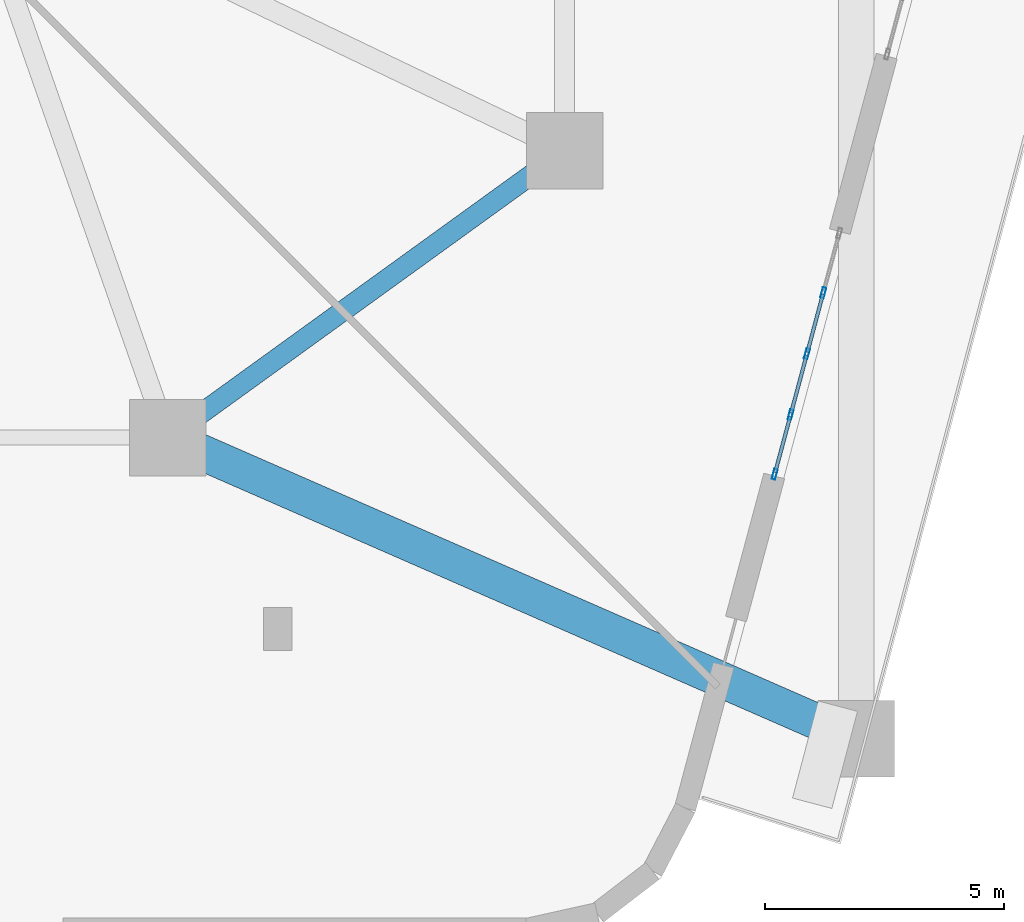
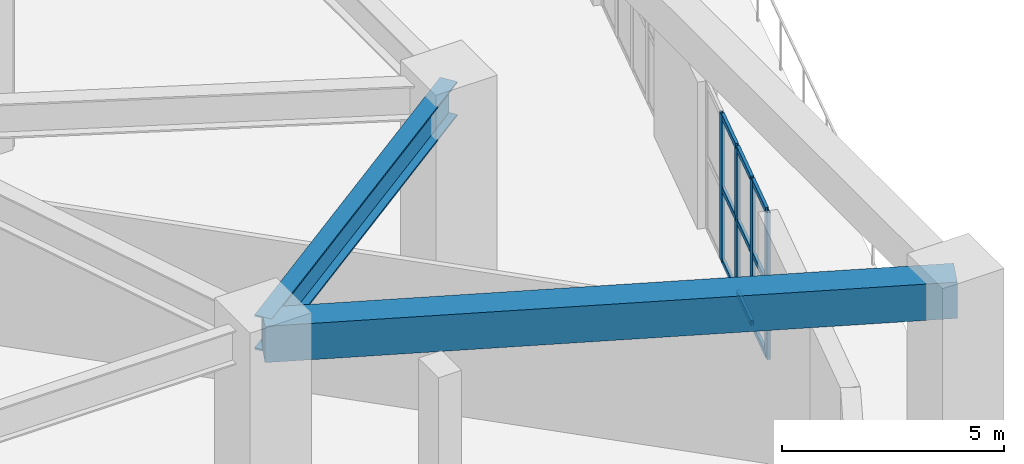
# One storey, part 8 of 34: 13 members, 2 beams, 1 element without a shape of its own.
"""IFC4 building model written with IfcOpenShell, lengths in metres."""

from ifc_helpers import new_model, si_unit, direction, frame, origin, origin_2d, place, context, subcontext, project, spatial, rectangle, hollow_rectangle, i_section, extrude, material, layer, layer_set, material_profile, profile_set, type_object, element, aggregate, save


model = new_model("IFC4")

# Units and contexts
model_context = context("Model", 3, precision=1e-05, world=origin(), true_north=direction((0.0, 1.0)))
body_context = subcontext(model_context, "Body", "Model", "MODEL_VIEW")
ifc_project = project(units=[si_unit("LENGTHUNIT", "METRE"), si_unit("AREAUNIT", "SQUARE_METRE"), si_unit("VOLUMEUNIT", "CUBIC_METRE"), si_unit("PLANEANGLEUNIT", "RADIAN"), si_unit("MASSUNIT", "GRAM", prefix="KILO")], contexts=[model_context])

# Site, building, storey
site_placement = place(None, origin())
site = spatial("IfcSite", under=ifc_project, at=site_placement, CompositionType="ELEMENT")
building_placement = place(site_placement, origin())
building = spatial("IfcBuilding", under=site, at=building_placement, Name="Kilnhurst Terrace Hotel", CompositionType="ELEMENT")
storey_placement = place(building_placement, frame((0.0, 0.0, 6.0)))
storey = spatial("IfcBuildingStorey", under=building, at=storey_placement, Name="L01", CompositionType="ELEMENT", Elevation=6.0)

# Beam
ifc_material_1 = material(Name="Steel ASTM A992 Grade 50", Category="steel")
ifc_material_profile_1 = material_profile(ifc_material_1, i_section(OverallWidth=0.423095703125, OverallDepth=0.9482421875, WebThickness=0.02392578125, FlangeThickness=0.042724609375, at=origin_2d()), Name="W36X302")
ifc_profile_set_1 = profile_set([ifc_material_profile_1], Name="Steel ASTM A992 Grade 50")
beam_type_1 = type_object("IfcBeamType", Name="BM-STL-W36X302", PredefinedType="BEAM", material=ifc_profile_set_1)
beam_1_placement = place(storey_placement, frame((21.5, -13.5, 4.60595703125), z_axis=(-0.810423314702, -0.585844732833, 0.0), x_axis=(0.585844732833, -0.810423314702, 0.0)))
element("IfcBeam", 1, at=beam_1_placement, inside=storey, type_object=beam_type_1, Name="L01 Podium Frame Beam 18", PredefinedType="BEAM", context=body_context, shape_type="SweptSolid", body=[
    extrude(i_section(OverallWidth=0.423095703125, OverallDepth=0.9482421875, WebThickness=0.02392578125, FlangeThickness=0.042724609375, at=origin_2d()), origin(), (0.0, 0.0, 1.0), 10.24169921875),
])

# Curtain wall, members
ifc_material_2 = material(Name="Anodized Aluminium Alloy 6063-T6 and Low-E Glass", Category="aluminium")
ifc_layer = layer(ifc_material_2, 0.219970703125, Name="Anodized Aluminium Alloy 6063-T6 and Low-E Glass")
ifc_layer_set = layer_set([ifc_layer], Name="Anodized Aluminium Alloy 6063-T6 and Low-E Glass")
curtain_wall_type = type_object("IfcCurtainWallType", Name="CW-POD-LOBBY", PredefinedType="NOTDEFINED", material=ifc_layer_set)
curtain_wall_placement = place(storey_placement, origin())
curtain_wall = element("IfcCurtainWall", 2, at=curtain_wall_placement, inside=storey, type_object=curtain_wall_type, Name="L01 Curtain Wall CW-L01-F2-1", PredefinedType="NOTDEFINED")
ifc_material_3 = material(Name="Extruded Aluminium Alloy 6063-T6", Category="aluminium")
ifc_material_profile_2 = material_profile(ifc_material_3, hollow_rectangle(XDim=0.074951171875, YDim=0.219970703125, WallThickness=0.00390625, at=origin_2d()), Name="CWM75X220")
ifc_profile_set_2 = profile_set([ifc_material_profile_2], Name="Extruded Aluminium Alloy 6063-T6")
member_type_1 = type_object("IfcMemberType", Name="MEM-CWM75X220", PredefinedType="MULLION", material=ifc_profile_set_2)
member_1_placement = place(storey_placement, frame((25.89501953125, -20.266357421875, 0.0), z_axis=(0.0, 0.0, 1.0), x_axis=(-0.965929411181, 0.258805665733, 0.0)))
member_1 = element("IfcMember", 3, at=member_1_placement, type_object=member_type_1, Name="CWL-1 mullion 1", PredefinedType="MULLION", context=body_context, shape_type="SweptSolid", body=[
    extrude(hollow_rectangle(XDim=0.074951171875, YDim=0.219970703125, WallThickness=0.00390625, at=origin_2d()), origin(), (0.0, 0.0, 1.0), 4.050048828125),
])
member_2_placement = place(storey_placement, frame((26.2275390625, -19.024658203125, 0.0), z_axis=(0.0, 0.0, 1.0), x_axis=(-0.965929411181, 0.258805665733, 0.0)))
member_2 = element("IfcMember", 4, at=member_2_placement, type_object=member_type_1, Name="CWL-1 mullion 2", PredefinedType="MULLION", context=body_context, shape_type="SweptSolid", body=[
    extrude(hollow_rectangle(XDim=0.074951171875, YDim=0.219970703125, WallThickness=0.00390625, at=origin_2d()), origin(), (0.0, 0.0, 1.0), 4.050048828125),
])
member_3_placement = place(storey_placement, frame((26.570068359375, -17.746826171875, 0.0), z_axis=(0.0, 0.0, 1.0), x_axis=(-0.965929411181, 0.258805665733, 0.0)))
member_3 = element("IfcMember", 5, at=member_3_placement, type_object=member_type_1, Name="CWL-1 mullion 3", PredefinedType="MULLION", context=body_context, shape_type="SweptSolid", body=[
    extrude(hollow_rectangle(XDim=0.074951171875, YDim=0.219970703125, WallThickness=0.00390625, at=origin_2d()), origin(), (0.0, 0.0, 1.0), 4.050048828125),
])
member_4_placement = place(storey_placement, frame((26.912353515625, -16.468994140625, 0.0), z_axis=(0.0, 0.0, 1.0), x_axis=(-0.965929411181, 0.258805665733, 0.0)))
member_4 = element("IfcMember", 6, at=member_4_placement, type_object=member_type_1, Name="CWL-1 mullion 4", PredefinedType="MULLION", context=body_context, shape_type="SweptSolid", body=[
    extrude(hollow_rectangle(XDim=0.074951171875, YDim=0.219970703125, WallThickness=0.00390625, at=origin_2d()), origin(), (0.0, 0.0, 1.0), 4.050048828125),
])
ifc_material_profile_3 = material_profile(ifc_material_3, hollow_rectangle(XDim=0.074951171875, YDim=0.14990234375, WallThickness=0.00390625, at=origin_2d()), Name="CWT75X150")
ifc_profile_set_3 = profile_set([ifc_material_profile_3], Name="Extruded Aluminium Alloy 6063-T6")
member_type_2 = type_object("IfcMemberType", Name="MEM-CWT75X150", PredefinedType="USERDEFINED", material=ifc_profile_set_3)
member_5_placement = place(storey_placement, frame((25.904541015625, -20.230224609375, 0.03759765625), z_axis=(0.2587797734, 0.965936348255, 0.0), x_axis=(-0.965936348255, 0.2587797734, 0.0)))
member_5 = element("IfcMember", 7, at=member_5_placement, type_object=member_type_2, Name="CWL-1 transom 1.1", ObjectType="TRANSOM", PredefinedType="USERDEFINED", context=body_context, shape_type="SweptSolid", body=[
    extrude(hollow_rectangle(XDim=0.074951171875, YDim=0.14990234375, WallThickness=0.00390625, at=origin_2d()), origin(), (0.0, 0.0, 1.0), 1.21044921875),
])
member_6_placement = place(storey_placement, frame((25.904541015625, -20.230224609375, 2.02490234375), z_axis=(0.2587797734, 0.965936348255, 0.0), x_axis=(-0.965936348255, 0.2587797734, 0.0)))
member_6 = element("IfcMember", 8, at=member_6_placement, type_object=member_type_2, Name="CWL-1 transom 1.2", ObjectType="TRANSOM", PredefinedType="USERDEFINED", context=body_context, shape_type="SweptSolid", body=[
    extrude(hollow_rectangle(XDim=0.074951171875, YDim=0.14990234375, WallThickness=0.00390625, at=origin_2d()), origin(), (0.0, 0.0, 1.0), 1.21044921875),
])
member_7_placement = place(storey_placement, frame((25.904541015625, -20.230224609375, 4.012451171875), z_axis=(0.2587797734, 0.965936348255, 0.0), x_axis=(-0.965936348255, 0.2587797734, 0.0)))
member_7 = element("IfcMember", 9, at=member_7_placement, type_object=member_type_2, Name="CWL-1 transom 1.3", ObjectType="TRANSOM", PredefinedType="USERDEFINED", context=body_context, shape_type="SweptSolid", body=[
    extrude(hollow_rectangle(XDim=0.074951171875, YDim=0.14990234375, WallThickness=0.00390625, at=origin_2d()), origin(), (0.0, 0.0, 1.0), 1.21044921875),
])
member_8_placement = place(storey_placement, frame((26.2373046875, -18.988525390625, 0.03759765625), z_axis=(0.258794750904, 0.965932335573, 0.0), x_axis=(-0.965932335573, 0.258794750904, 0.0)))
member_8 = element("IfcMember", 10, at=member_8_placement, type_object=member_type_2, Name="CWL-1 transom 2.1", ObjectType="TRANSOM", PredefinedType="USERDEFINED", context=body_context, shape_type="SweptSolid", body=[
    extrude(hollow_rectangle(XDim=0.074951171875, YDim=0.14990234375, WallThickness=0.00390625, at=origin_2d()), origin(), (0.0, 0.0, 1.0), 1.248046875),
])
member_9_placement = place(storey_placement, frame((26.2373046875, -18.988525390625, 2.02490234375), z_axis=(0.258794750904, 0.965932335573, 0.0), x_axis=(-0.965932335573, 0.258794750904, 0.0)))
member_9 = element("IfcMember", 11, at=member_9_placement, type_object=member_type_2, Name="CWL-1 transom 2.2", ObjectType="TRANSOM", PredefinedType="USERDEFINED", context=body_context, shape_type="SweptSolid", body=[
    extrude(hollow_rectangle(XDim=0.074951171875, YDim=0.14990234375, WallThickness=0.00390625, at=origin_2d()), origin(), (0.0, 0.0, 1.0), 1.248046875),
])
member_10_placement = place(storey_placement, frame((26.2373046875, -18.988525390625, 4.012451171875), z_axis=(0.258794750904, 0.965932335573, 0.0), x_axis=(-0.965932335573, 0.258794750904, 0.0)))
member_10 = element("IfcMember", 12, at=member_10_placement, type_object=member_type_2, Name="CWL-1 transom 2.3", ObjectType="TRANSOM", PredefinedType="USERDEFINED", context=body_context, shape_type="SweptSolid", body=[
    extrude(hollow_rectangle(XDim=0.074951171875, YDim=0.14990234375, WallThickness=0.00390625, at=origin_2d()), origin(), (0.0, 0.0, 1.0), 1.248046875),
])
member_11_placement = place(storey_placement, frame((26.57958984375, -17.710693359375, 0.03759765625), z_axis=(0.258794750904, 0.965932335573, 0.0), x_axis=(-0.965932335573, 0.258794750904, 0.0)))
member_11 = element("IfcMember", 13, at=member_11_placement, type_object=member_type_2, Name="CWL-1 transom 3.1", ObjectType="TRANSOM", PredefinedType="USERDEFINED", context=body_context, shape_type="SweptSolid", body=[
    extrude(hollow_rectangle(XDim=0.074951171875, YDim=0.14990234375, WallThickness=0.00390625, at=origin_2d()), origin(), (0.0, 0.0, 1.0), 1.248046875),
])
member_12_placement = place(storey_placement, frame((26.57958984375, -17.710693359375, 2.02490234375), z_axis=(0.258794750904, 0.965932335573, 0.0), x_axis=(-0.965932335573, 0.258794750904, 0.0)))
member_12 = element("IfcMember", 14, at=member_12_placement, type_object=member_type_2, Name="CWL-1 transom 3.2", ObjectType="TRANSOM", PredefinedType="USERDEFINED", context=body_context, shape_type="SweptSolid", body=[
    extrude(hollow_rectangle(XDim=0.074951171875, YDim=0.14990234375, WallThickness=0.00390625, at=origin_2d()), origin(), (0.0, 0.0, 1.0), 1.248046875),
])
member_13_placement = place(storey_placement, frame((26.57958984375, -17.710693359375, 4.012451171875), z_axis=(0.258794750904, 0.965932335573, 0.0), x_axis=(-0.965932335573, 0.258794750904, 0.0)))
member_13 = element("IfcMember", 15, at=member_13_placement, type_object=member_type_2, Name="CWL-1 transom 3.3", ObjectType="TRANSOM", PredefinedType="USERDEFINED", context=body_context, shape_type="SweptSolid", body=[
    extrude(hollow_rectangle(XDim=0.074951171875, YDim=0.14990234375, WallThickness=0.00390625, at=origin_2d()), origin(), (0.0, 0.0, 1.0), 1.248046875),
])
aggregate(curtain_wall, [member_1, member_2, member_3, member_4, member_5, member_6, member_7, member_8, member_9, member_10, member_11, member_12, member_13])

# Beam
ifc_material_4 = material(Name="Concrete C50/60", Category="concrete")
ifc_material_profile_4 = material_profile(ifc_material_4, rectangle(XDim=0.75, YDim=1.0, at=origin_2d()), Name="RC750X1000")
ifc_profile_set_4 = profile_set([ifc_material_profile_4], Name="Concrete C50/60")
beam_type_2 = type_object("IfcBeamType", Name="TBM-GAR-750X1000", PredefinedType="T_BEAM", material=ifc_profile_set_4)
beam_2_placement = place(storey_placement, frame((27.60009765625, -25.800048828125, 4.580078125), z_axis=(-0.916157691387, 0.400818019196, 0.0), x_axis=(-0.400818019196, -0.916157691387, 0.0)))
element("IfcBeam", 16, at=beam_2_placement, inside=storey, type_object=beam_type_2, Name="L01 Outer Ring Tee Beam 10", PredefinedType="T_BEAM", context=body_context, shape_type="SweptSolid", body=[
    extrude(rectangle(XDim=0.75, YDim=1.0, at=origin_2d()), origin(), (0.0, 0.0, 1.0), 15.718017578125),
])

save(model, "model.ifc")
